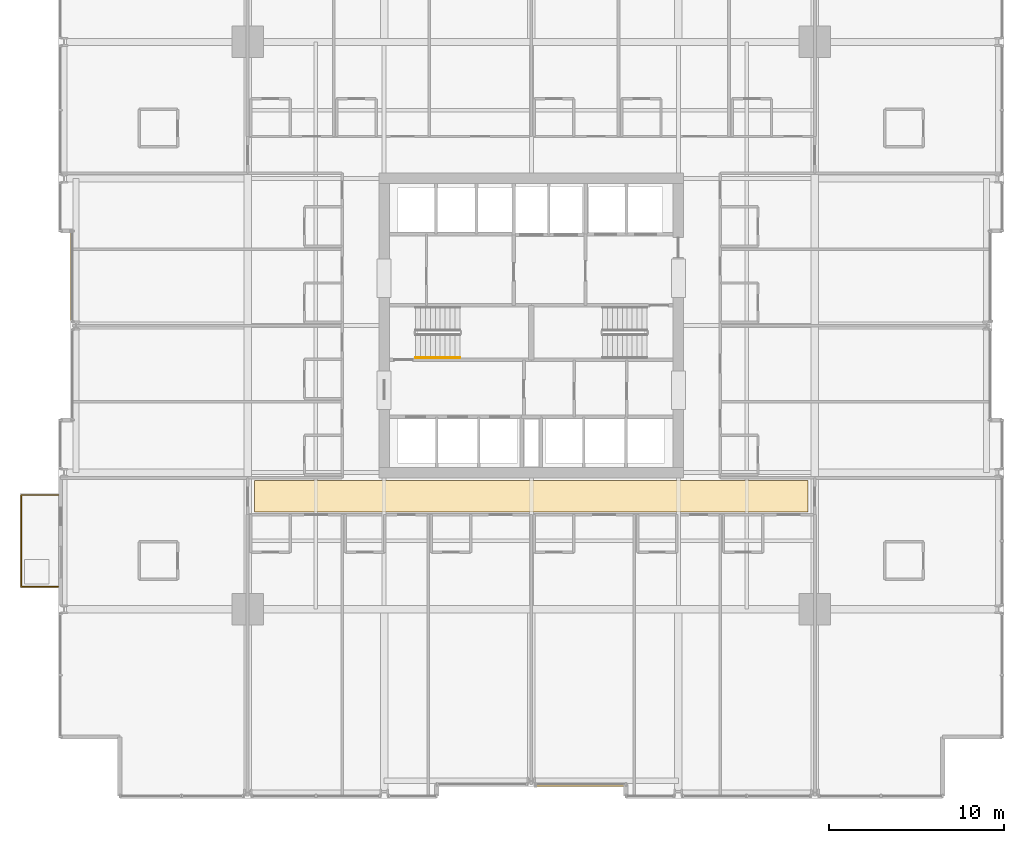
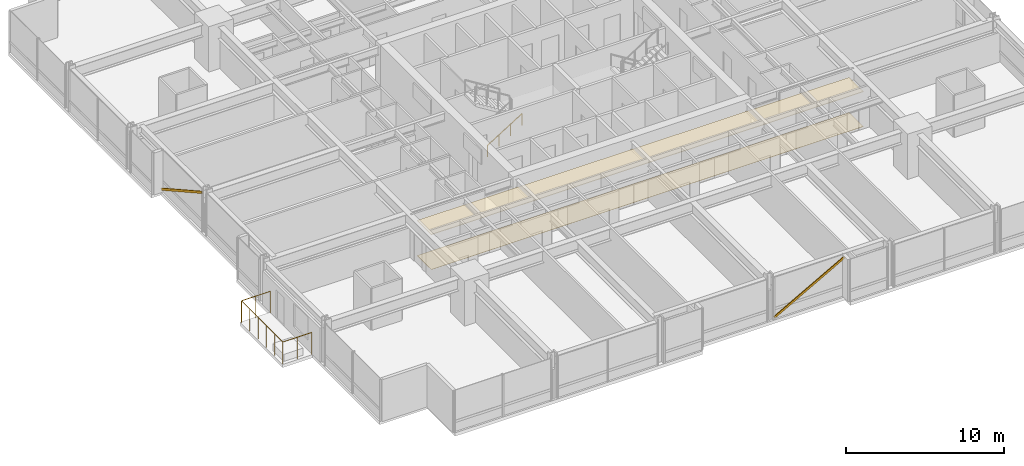
# One storey, part 37 of 39: 2 coverings, 2 railings, 2 shading devices.
"""IFC4 building model written with IfcOpenShell, lengths in metres."""

import ifcopenshell
import ifcopenshell.guid

model = None  # the IFC model being written
_history = None  # IfcOwnerHistory: only IFC2X3 demands one
_inside = {}  # id of a spatial element -> (the spatial element, [elements in it])
_under = {}  # id of a project, library or spatial element -> (it, [spatial elements below it])
_declared = {}  # id of a project -> (the project, [libraries it declares])
_typed = {}  # id of a type object -> (the type object, [elements of that type])
_made_of = {}  # id of a material, layer set ... -> (it, [elements and type objects made of it])


def new_model(schema):
    """Start an empty IFC model of exactly this schema.

    Asked for "IFC4X3", IfcOpenShell would pick the latest addendum, in which some entities
    have other attributes; the version numbers below select the first issue.
    IFC2X3 requires an IfcOwnerHistory on every rooted entity: one is made here for all.
    """
    global model, _history
    if schema == "IFC4X3":
        model = ifcopenshell.file(schema_version=(4, 3, 0, 0))
    else:
        model = ifcopenshell.file(schema=schema)
    _inside.clear()
    _under.clear()
    _declared.clear()
    _typed.clear()
    _made_of.clear()
    _history = None
    if model.schema == "IFC2X3":
        org = make("IfcOrganization", Name="unknown")
        user = make(
            "IfcPersonAndOrganization",
            ThePerson=make("IfcPerson", FamilyName="unknown"),
            TheOrganization=org,
        )
        app = make(
            "IfcApplication",
            ApplicationDeveloper=org,
            Version="unknown",
            ApplicationFullName="unknown",
            ApplicationIdentifier="unknown",
        )
        _history = make(
            "IfcOwnerHistory",
            OwningUser=user,
            OwningApplication=app,
            ChangeAction="ADDED",
            CreationDate=0,
        )
    return model


def make(cls, **values):
    """One entity of the class cls with the attributes given. An attribute that is None is left unset."""
    return model.create_entity(
        cls, **{name: value for name, value in values.items() if value is not None}
    )


def rooted(cls, **values):
    """An entity with a GlobalId (a new one), such as an element, a storey or a relation."""
    return make(cls, GlobalId=ifcopenshell.guid.new(), OwnerHistory=_history, **values)


def si_unit(unit_type, name, prefix=None):
    """IfcSIUnit, for example si_unit("LENGTHUNIT", "METRE", prefix="MILLI")."""
    return make("IfcSIUnit", UnitType=unit_type, Prefix=prefix, Name=name)


def assignment(units):
    """IfcUnitAssignment: the units of a project."""
    return None if units is None else make("IfcUnitAssignment", Units=units)


def point(xyz):
    """IfcCartesianPoint."""
    return None if xyz is None else make("IfcCartesianPoint", Coordinates=xyz)


def direction(xyz):
    """IfcDirection."""
    return None if xyz is None else make("IfcDirection", DirectionRatios=xyz)


def frame(location, z_axis=None, x_axis=None):
    """IfcAxis2Placement3D, a coordinate frame: its origin and axes. An axis left out is left unset."""
    return make(
        "IfcAxis2Placement3D",
        Location=point(location),
        Axis=direction(z_axis),
        RefDirection=direction(x_axis),
    )


def frame_2d(location, x_axis=None):
    """IfcAxis2Placement2D, a coordinate frame in the plane: its origin and x axis."""
    return make(
        "IfcAxis2Placement2D", Location=point(location), RefDirection=direction(x_axis)
    )


def origin():
    """The frame at (0, 0, 0) with its axes left unset."""
    return frame((0.0, 0.0, 0.0))


def origin_2d():
    """The frame at (0, 0) in the plane with its x axis left unset."""
    return frame_2d((0.0, 0.0))


def place(relative_to, where):
    """IfcLocalPlacement: puts the frame where relative to a parent placement (None: the world)."""
    return make(
        "IfcLocalPlacement", PlacementRelTo=relative_to, RelativePlacement=where
    )


def context(
    kind, dimensions, precision=None, world=None, true_north=None, identifier=None
):
    """IfcGeometricRepresentationContext, for example the 3D "Model" context."""
    return make(
        "IfcGeometricRepresentationContext",
        ContextIdentifier=identifier,
        ContextType=kind,
        CoordinateSpaceDimension=dimensions,
        Precision=precision,
        WorldCoordinateSystem=world,
        TrueNorth=true_north,
    )


def subcontext(parent, identifier, kind, view, scale=None):
    """IfcGeometricRepresentationSubContext, for example "Body" below "Model"."""
    return make(
        "IfcGeometricRepresentationSubContext",
        ContextIdentifier=identifier,
        ContextType=kind,
        ParentContext=parent,
        TargetScale=scale,
        TargetView=view,
    )


def project(units=None, contexts=None):
    """IfcProject with its units and contexts."""
    return rooted(
        "IfcProject",
        Name="project",
        RepresentationContexts=contexts,
        UnitsInContext=assignment(units),
    )


def spatial(cls, under=None, at=None, **own):
    """A site, building, storey or space (cls), placed at a placement, below another one or the project."""
    s = rooted(cls, ObjectPlacement=at, **own)
    if under is not None:
        _under.setdefault(under.id(), (under, []))[1].append(s)
    return s


def polyline(points):
    """IfcPolyline through the points."""
    return make("IfcPolyline", Points=[point(p) for p in points])


def profile(cls, at=None, kind="AREA", **sizes):
    """A parametric profile (cls). Its sizes go by their IFC names, for example OverallWidth=200.0."""
    return make(cls, ProfileType=kind, Position=at, **sizes)


def hollow_rectangle(**sizes):
    """IfcRectangleHollowProfileDef."""
    return profile("IfcRectangleHollowProfileDef", **sizes)


def circle(**sizes):
    """IfcCircleProfileDef."""
    return profile("IfcCircleProfileDef", **sizes)


def outline(outer, holes=None, kind="AREA"):
    """IfcArbitraryClosedProfileDef: a profile drawn as a closed curve; with holes, ...WithVoids."""
    if holes is None:
        return make("IfcArbitraryClosedProfileDef", ProfileType=kind, OuterCurve=outer)
    return make(
        "IfcArbitraryProfileDefWithVoids",
        ProfileType=kind,
        OuterCurve=outer,
        InnerCurves=holes,
    )


def extrude(swept, where, along, depth):
    """IfcExtrudedAreaSolid: the profile swept, set in the frame where, extruded along a direction by depth."""
    return make(
        "IfcExtrudedAreaSolid",
        SweptArea=swept,
        Position=where,
        ExtrudedDirection=direction(along),
        Depth=depth,
    )


def shape(context_of_items, identifier, shape_type, items):
    """IfcShapeRepresentation: the items that make up one representation, for example the "Body"."""
    return make(
        "IfcShapeRepresentation",
        ContextOfItems=context_of_items,
        RepresentationIdentifier=identifier,
        RepresentationType=shape_type,
        Items=items,
    )


def material(Name=None, Category=None):
    """IfcMaterial."""
    return make("IfcMaterial", Name=Name, Category=Category)


def layer(
    of_material, thickness, ventilated=None, Name=None, Category=None, Priority=None
):
    """IfcMaterialLayer: one layer of a wall or slab, of a material (None: an air gap)."""
    return make(
        "IfcMaterialLayer",
        Material=of_material,
        LayerThickness=thickness,
        IsVentilated=ventilated,
        Name=Name,
        Category=Category,
        Priority=Priority,
    )


def layer_set(layers, Name=None):
    """IfcMaterialLayerSet."""
    return make("IfcMaterialLayerSet", MaterialLayers=layers, LayerSetName=Name)


def material_profile(
    of_material, cross_section, Name=None, Category=None, Priority=None
):
    """IfcMaterialProfile: a cross section and its material."""
    return make(
        "IfcMaterialProfile",
        Name=Name,
        Material=of_material,
        Profile=cross_section,
        Priority=Priority,
        Category=Category,
    )


def profile_set(profiles, Name=None, composite=None):
    """IfcMaterialProfileSet."""
    return make(
        "IfcMaterialProfileSet",
        Name=Name,
        MaterialProfiles=profiles,
        CompositeProfile=composite,
    )


def made_of(thing, what):
    """Note that an element or type object is made of a material, layer set ...; save() writes the relation."""
    if what is not None:
        _made_of.setdefault(what.id(), (what, []))[1].append(thing)
    return thing


def type_object(cls, material=None, **own):
    """A type object (cls), such as IfcWallType, which elements share."""
    return made_of(rooted(cls, **own), material)


def element(
    cls,
    number,
    at=None,
    inside=None,
    cuts=None,
    type_object=None,
    material=None,
    context=None,
    identifier="Body",
    shape_type=None,
    held_by="IfcProductDefinitionShape",
    body=None,
    shapes=None,
    **own,
):
    """One element of the class cls, such as IfcWall. Its Tag is "e" and its number.

    at: its placement. inside: the storey or other place that contains it. cuts: it is an
    opening in that element (IfcRelVoidsElement). A single representation is given by context,
    identifier, shape_type and body (its items); several are given by shapes. held_by: the class
    of the entity that holds the representations. save() writes the other relations.
    """
    e = rooted(cls, Tag="e%d" % number, ObjectPlacement=at, **own)
    if body is not None:
        shapes = [shape(context, identifier, shape_type, body)]
    if shapes is not None:
        e.Representation = make(held_by, Representations=shapes)
    if inside is not None:
        _inside.setdefault(inside.id(), (inside, []))[1].append(e)
    if cuts is not None:
        rooted(
            "IfcRelVoidsElement", RelatingBuildingElement=cuts, RelatedOpeningElement=e
        )
    if type_object is not None:
        _typed.setdefault(type_object.id(), (type_object, []))[1].append(e)
    return made_of(e, material)


def aggregate(whole, parts):
    """IfcRelAggregates: a whole, such as a stair, and the parts it consists of."""
    return rooted("IfcRelAggregates", RelatingObject=whole, RelatedObjects=parts)


def save(model, path):
    """Write the relations noted so far, then the file.

    IfcRelAggregates (storeys below a building ...), IfcRelContainedInSpatialStructure (elements
    in a storey), IfcRelDefinesByType, IfcRelAssociatesMaterial and IfcRelDeclares: one each for
    every whole, place, type object, material and project.
    """
    for whole, parts in _under.values():
        aggregate(whole, parts)
    for where, things in _inside.values():
        rooted(
            "IfcRelContainedInSpatialStructure",
            RelatedElements=things,
            RelatingStructure=where,
        )
    for kind, things in _typed.values():
        rooted("IfcRelDefinesByType", RelatedObjects=things, RelatingType=kind)
    for what, things in _made_of.values():
        rooted("IfcRelAssociatesMaterial", RelatedObjects=things, RelatingMaterial=what)
    for by, libraries in _declared.values():
        rooted("IfcRelDeclares", RelatingContext=by, RelatedDefinitions=libraries)
    model.write(path)


model = new_model("IFC4")

# Units and contexts
model_context = context("Model", 3, precision=1e-05, world=origin(), true_north=direction((0.0, 1.0)))
body_context = subcontext(model_context, "Body", "Model", "MODEL_VIEW")
ifc_project = project(units=[si_unit("LENGTHUNIT", "METRE"), si_unit("AREAUNIT", "SQUARE_METRE"), si_unit("VOLUMEUNIT", "CUBIC_METRE"), si_unit("PLANEANGLEUNIT", "RADIAN"), si_unit("MASSUNIT", "GRAM", prefix="KILO")], contexts=[model_context])

# Site, building, storey
site_placement = place(None, origin())
site = spatial("IfcSite", under=ifc_project, at=site_placement, CompositionType="ELEMENT")
building_placement = place(site_placement, origin())
building = spatial("IfcBuilding", under=site, at=building_placement, Name="Drelvath Grand Hotel", CompositionType="ELEMENT")
storey_placement = place(building_placement, frame((0.0, 0.0, 36.699951171875)))
storey = spatial("IfcBuildingStorey", under=building, at=storey_placement, Name="L07", CompositionType="ELEMENT", Elevation=36.699951171875)

# Railing
ifc_material_1 = material(Name="Painted Steel S275", Category="steel")
railing_type_1 = type_object("IfcRailingType", Name="Core Stair Wall Handrail 900", PredefinedType="HANDRAIL", material=ifc_material_1)
railing_1_placement = place(storey_placement, frame((-6.60009765625, 25.169921875, 0.175048828125)))
element("IfcRailing", 1, at=railing_1_placement, inside=storey, type_object=railing_type_1, Name="L07 ST-1 stair handrail 1", PredefinedType="HANDRAIL", context=body_context, shape_type="SweptSolid", body=[
    extrude(circle(Radius=0.02392578125, at=origin_2d()), frame((0.0, 0.0, 0.8759765625), z_axis=(0.848007534815, 0.0, 0.529984170421), x_axis=(0.0, 1.0, 0.0)), (0.0, 0.0, 1.0), 2.9716796875),
    extrude(circle(Radius=0.02099609375, at=origin_2d()), origin(), (0.0, 0.0, 1.0), 0.851806640625),
    extrude(circle(Radius=0.02099609375, at=origin_2d()), frame((0.840087890625, 0.0, 0.52490234375)), (0.0, 0.0, 1.0), 0.851806640625),
    extrude(circle(Radius=0.02099609375, at=origin_2d()), frame((1.679931640625, 0.0, 1.050048828125)), (0.0, 0.0, 1.0), 0.851806640625),
    extrude(circle(Radius=0.02099609375, at=origin_2d()), frame((2.52001953125, 0.0, 1.574951171875)), (0.0, 0.0, 1.0), 0.851806640625),
])

# Shading devices
ifc_material_2 = material(Name="Warm Bronze Anodised Aluminium", Category="aluminium")
ifc_material_profile = material_profile(ifc_material_2, hollow_rectangle(XDim=0.06494140625, YDim=0.159912109375, WallThickness=0.00390625, at=origin_2d()), Name="HSS160X65X4")
ifc_profile_set = profile_set([ifc_material_profile], Name="Warm Bronze Anodised Aluminium")
shading_device_type = type_object("IfcShadingDeviceType", Name="Diagonal Solar Fin Warm Bronze Anodised HSS160X65X4", PredefinedType="USERDEFINED", material=ifc_profile_set)
for number, where, z_axis, x_axis, name in (
    (2, (-26.280029296875, 32.39990234375, 0.179931640625), (0.0, -0.873145760887, 0.487459208801), (1.0, 0.0, 0.0), "L07 Diagonal Anodised Fin CW02-L07-WM2"),
    (3, (0.240966796875, 0.719970703125, 0.179931640625), (0.873145760887, 0.0, 0.487459208801), (0.0, 1.0, 0.0), "L07 Diagonal Anodised Fin CW02-L07-SM2"),
):
    element("IfcShadingDevice", number, at=place(storey_placement, frame(where, z_axis=z_axis, x_axis=x_axis)), inside=storey, type_object=shading_device_type, Name=name, ObjectType="FIN", PredefinedType="USERDEFINED", context=body_context, shape_type="SweptSolid", body=[
        extrude(hollow_rectangle(XDim=0.06494140625, YDim=0.159912109375, WallThickness=0.00390625, at=origin_2d()), origin(), (0.0, 0.0, 1.0), 5.908447265625),
    ])

# Coverings
ifc_material_3 = material(Name="Woven Wool Broadloom Carpet")
ifc_layer_1 = layer(ifc_material_3, 0.01806640625)
ifc_layer_set_1 = layer_set([ifc_layer_1], Name="Woven Wool Broadloom Carpet")
covering_type_1 = type_object("IfcCoveringType", Name="Hospitality Broadloom Carpet 18", PredefinedType="FLOORING", material=ifc_layer_set_1)
covering_1_placement = place(storey_placement, origin())
element("IfcCovering", 4, at=covering_1_placement, inside=storey, type_object=covering_type_1, Name="L07 Corridor Broadloom Carpet", PredefinedType="FLOORING", context=body_context, shape_type="SweptSolid", body=[
    extrude(outline(polyline([(15.800048828125, 16.35009765625), (15.800048828125, 18.14990234375), (-15.800048828125, 18.14990234375), (-15.800048828125, 16.35009765625), (15.800048828125, 16.35009765625)])), origin(), (0.0, 0.0, 1.0), 0.01806640625),
])
ifc_material_4 = material(Name="Anodised Aluminium Alloy", Category="aluminium")
ifc_layer_2 = layer(ifc_material_4, 0.0400390625)
ifc_layer_set_2 = layer_set([ifc_layer_2], Name="Anodised Aluminium Alloy")
covering_type_2 = type_object("IfcCoveringType", Name="Perforated Metal Corridor Ceiling 40", PredefinedType="CEILING", material=ifc_layer_set_2)
covering_2_placement = place(storey_placement, frame((0.0, 0.0, 2.68994140625)))
element("IfcCovering", 5, at=covering_2_placement, inside=storey, type_object=covering_type_2, Name="L07 Corridor Acoustic Ceiling", PredefinedType="CEILING", context=body_context, shape_type="SweptSolid", body=[
    extrude(outline(polyline([(15.800048828125, 16.35009765625), (15.800048828125, 18.14990234375), (-15.800048828125, 18.14990234375), (-15.800048828125, 16.35009765625), (15.800048828125, 16.35009765625)])), origin(), (0.0, 0.0, 1.0), 0.0400390625),
])

# Railing
ifc_material_5 = material(Name="Anodised Aluminium and Laminated Glass Balustrade", Category="aluminium")
railing_type_2 = type_object("IfcRailingType", Name="Raised Planter Edge Balustrade 1700", PredefinedType="BALUSTRADE", material=ifc_material_5)
railing_2_placement = place(storey_placement, frame((-27.02001953125, 12.080078125, 0.0)))
element("IfcRailing", 6, at=railing_2_placement, inside=storey, type_object=railing_type_2, Name="L07 Tree Balcony Perimeter Balustrade 1", PredefinedType="BALUSTRADE", context=body_context, shape_type="SweptSolid", body=[
    extrude(circle(Radius=0.02392578125, at=origin_2d()), frame((0.0, 0.0, 1.67578125), z_axis=(-1.0, 0.0, 0.0), x_axis=(0.0, -1.0, 0.0)), (0.0, 0.0, 1.0), 2.10009765625),
    extrude(circle(Radius=0.02392578125, at=origin_2d()), frame((-2.10009765625, 0.0, 1.67578125), z_axis=(0.0, 1.0, 0.0), x_axis=(-1.0, 0.0, 0.0)), (0.0, 0.0, 1.0), 5.239990234375),
    extrude(circle(Radius=0.02392578125, at=origin_2d()), frame((-2.10009765625, 5.239990234375, 1.67578125), z_axis=(1.0, 0.0, 0.0), x_axis=(0.0, 1.0, 0.0)), (0.0, 0.0, 1.0), 2.10009765625),
    extrude(circle(Radius=0.02099609375, at=origin_2d()), origin(), (0.0, 0.0, 1.0), 1.65185546875),
    extrude(circle(Radius=0.02099609375, at=origin_2d()), frame((-1.050048828125, 0.0, 0.0)), (0.0, 0.0, 1.0), 1.65185546875),
    extrude(circle(Radius=0.02099609375, at=origin_2d()), frame((-2.10009765625, 0.0, 0.0)), (0.0, 0.0, 1.0), 1.65185546875),
    extrude(circle(Radius=0.02099609375, at=origin_2d()), frame((-2.10009765625, 1.048095703125, 0.0)), (0.0, 0.0, 1.0), 1.65185546875),
    extrude(circle(Radius=0.02099609375, at=origin_2d()), frame((-2.10009765625, 2.095947265625, 0.0)), (0.0, 0.0, 1.0), 1.65185546875),
    extrude(circle(Radius=0.02099609375, at=origin_2d()), frame((-2.10009765625, 3.14404296875, 0.0)), (0.0, 0.0, 1.0), 1.65185546875),
    extrude(circle(Radius=0.02099609375, at=origin_2d()), frame((-2.10009765625, 4.19189453125, 0.0)), (0.0, 0.0, 1.0), 1.65185546875),
    extrude(circle(Radius=0.02099609375, at=origin_2d()), frame((-2.10009765625, 5.239990234375, 0.0)), (0.0, 0.0, 1.0), 1.65185546875),
    extrude(circle(Radius=0.02099609375, at=origin_2d()), frame((-1.050048828125, 5.239990234375, 0.0)), (0.0, 0.0, 1.0), 1.65185546875),
    extrude(circle(Radius=0.02099609375, at=origin_2d()), frame((0.0, 5.239990234375, 0.0)), (0.0, 0.0, 1.0), 1.65185546875),
])

save(model, "model.ifc")
